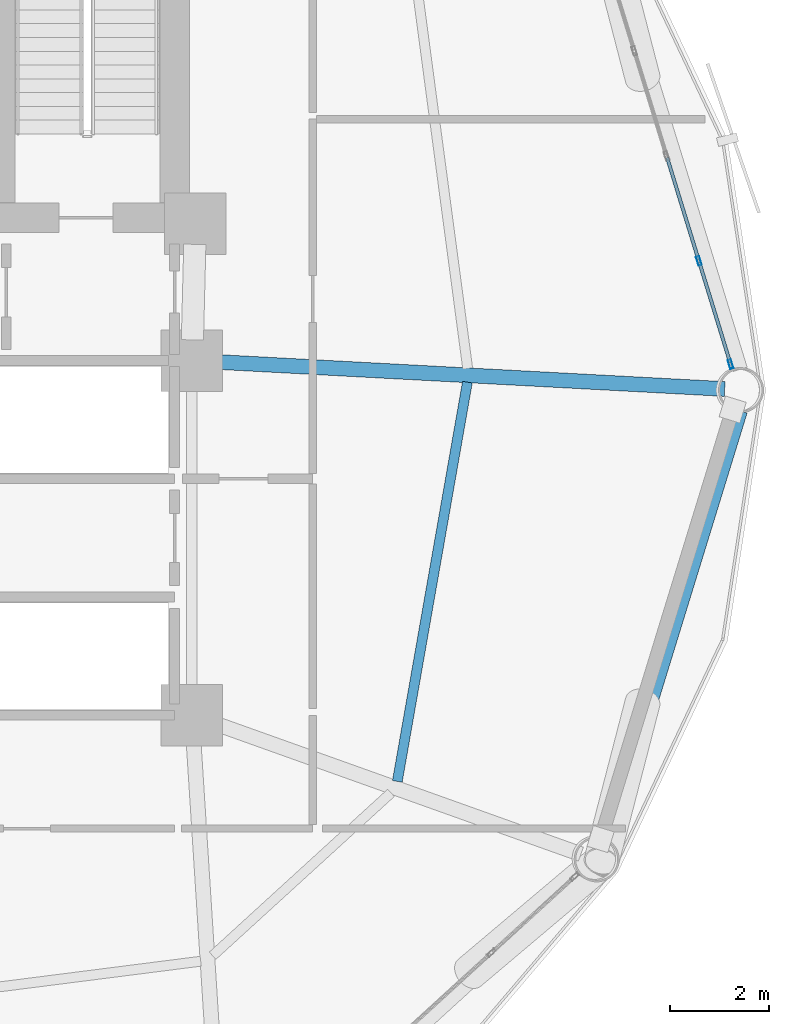
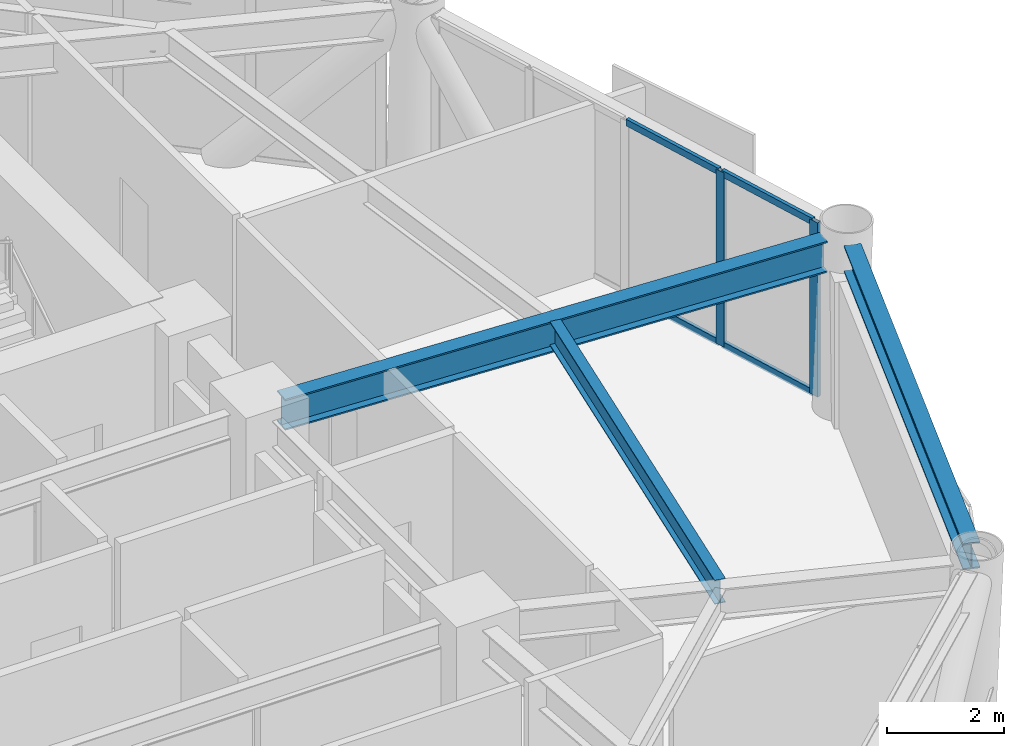
# One storey, part 15 of 26: 6 members, 3 beams, 1 element without a shape of its own.
"""IFC4 building model written with IfcOpenShell, lengths in metres."""

from ifc_helpers import new_model, si_unit, direction, frame, origin, origin_2d, place, context, subcontext, project, spatial, hollow_rectangle, i_section, extrude, material, layer, layer_set, material_profile, profile_set, type_object, element, aggregate, save


model = new_model("IFC4")

# Units and contexts
model_context = context("Model", 3, precision=1e-05, world=origin(), true_north=direction((0.0, 1.0)))
body_context = subcontext(model_context, "Body", "Model", "MODEL_VIEW")
ifc_project = project(units=[si_unit("LENGTHUNIT", "METRE"), si_unit("AREAUNIT", "SQUARE_METRE"), si_unit("VOLUMEUNIT", "CUBIC_METRE"), si_unit("PLANEANGLEUNIT", "RADIAN"), si_unit("MASSUNIT", "GRAM", prefix="KILO")], contexts=[model_context])

# Site, building, storey
site_placement = place(None, origin())
site = spatial("IfcSite", under=ifc_project, at=site_placement, CompositionType="ELEMENT")
building_placement = place(site_placement, origin())
building = spatial("IfcBuilding", under=site, at=building_placement, Name="Varnakorn Sky Granary", CompositionType="ELEMENT")
storey_placement = place(building_placement, frame((0.0, 0.0, 47.10009765625)))
storey = spatial("IfcBuildingStorey", under=building, at=storey_placement, Name="L11", CompositionType="ELEMENT", Elevation=47.10009765625)

# Beams
ifc_material_1 = material(Name="Steel S355JR", Category="steel")
ifc_material_profile_1 = material_profile(ifc_material_1, i_section(OverallWidth=0.300048828125, OverallDepth=0.64990234375, WebThickness=0.01611328125, FlangeThickness=0.031005859375, at=origin_2d()), Name="HE 650 B")
ifc_profile_set_1 = profile_set([ifc_material_profile_1], Name="Steel S355JR")
beam_type_1 = type_object("IfcBeamType", Name="BM-RAD-Z1", PredefinedType="BEAM", material=ifc_profile_set_1)
beam_1_placement = place(storey_placement, frame((8.769287109375, 0.57763671875, 3.31494140625), z_axis=(0.998582433645, -0.053227090999, 0.0), x_axis=(0.053227090999, 0.998582433645, 0.0)))
element("IfcBeam", 1, at=beam_1_placement, inside=storey, type_object=beam_type_1, Name="Radial Floor Girder RG01 L11", PredefinedType="BEAM", context=body_context, shape_type="SweptSolid", body=[
    extrude(i_section(OverallWidth=0.300048828125, OverallDepth=0.64990234375, WebThickness=0.01611328125, FlangeThickness=0.031005859375, at=origin_2d()), origin(), (0.0, 0.0, 1.0), 10.411865234375),
])
ifc_material_profile_2 = material_profile(ifc_material_1, i_section(OverallWidth=0.199951171875, OverallDepth=0.5, WebThickness=0.01025390625, FlangeThickness=0.01611328125, at=origin_2d()), Name="IPE 500")
ifc_profile_set_2 = profile_set([ifc_material_profile_2], Name="Steel S355JR")
beam_type_2 = type_object("IfcBeamType", Name="BM-SEC-Z1", PredefinedType="BEAM", material=ifc_profile_set_2)
beam_2_placement = place(storey_placement, frame((12.5205078125, -7.94287109375, 3.389892578125), z_axis=(0.172956002547, 0.984929551381, 0.0), x_axis=(-0.984929551381, 0.172956002547, 0.0)))
element("IfcBeam", 2, at=beam_2_placement, inside=storey, type_object=beam_type_2, Name="Secondary Floor Chord Beam MSB12 L11", PredefinedType="BEAM", context=body_context, shape_type="SweptSolid", body=[
    extrude(i_section(OverallWidth=0.199951171875, OverallDepth=0.5, WebThickness=0.01025390625, FlangeThickness=0.01611328125, at=origin_2d()), origin(), (0.0, 0.0, 1.0), 8.2294921875),
])
ifc_material_profile_3 = material_profile(ifc_material_1, i_section(OverallWidth=0.300048828125, OverallDepth=0.550048828125, WebThickness=0.014892578125, FlangeThickness=0.029052734375, at=origin_2d()), Name="HE 550 B")
ifc_profile_set_3 = profile_set([ifc_material_profile_3], Name="Steel S355JR")
beam_type_3 = type_object("IfcBeamType", Name="BM-SPD-Z1", PredefinedType="SPANDREL", material=ifc_profile_set_3)
beam_3_placement = place(storey_placement, frame((16.793212890625, -9.146484375, 3.364990234375), z_axis=(0.294132835828, 0.955764549922, 0.0), x_axis=(-0.955764549922, 0.294132835828, 0.0)))
element("IfcBeam", 3, at=beam_3_placement, inside=storey, type_object=beam_type_3, Name="Perimeter Spandrel Ring Beam RB12 L11", PredefinedType="SPANDREL", context=body_context, shape_type="SweptSolid", body=[
    extrude(i_section(OverallWidth=0.300048828125, OverallDepth=0.550048828125, WebThickness=0.014892578125, FlangeThickness=0.029052734375, at=origin_2d()), origin(), (0.0, 0.0, 1.0), 9.1279296875),
])

# Curtain wall, members
ifc_material_2 = material(Name="Anodised Bronze Aluminium Alloy 6063-T6", Category="aluminium")
ifc_layer = layer(ifc_material_2, 0.18994140625, Name="Anodised Bronze Aluminium Alloy 6063-T6")
ifc_layer_set = layer_set([ifc_layer], Name="Anodised Bronze Aluminium Alloy 6063-T6")
curtain_wall_type = type_object("IfcCurtainWallType", Name="CW-FRM-1", PredefinedType="USERDEFINED", material=ifc_layer_set)
curtain_wall_placement = place(storey_placement, origin())
curtain_wall = element("IfcCurtainWall", 4, at=curtain_wall_placement, inside=storey, type_object=curtain_wall_type, Name="Unitised Curtain Wall CW3 CW-L11-B01", ObjectType="CURTAIN WALL", PredefinedType="USERDEFINED")
ifc_material_profile_4 = material_profile(ifc_material_2, hollow_rectangle(XDim=0.070068359375, YDim=0.18505859375, WallThickness=0.00390625, at=origin_2d()), Name="ALU MULL 70x185")
ifc_profile_set_4 = profile_set([ifc_material_profile_4], Name="Anodised Bronze Aluminium Alloy 6063-T6")
member_type_1 = type_object("IfcMemberType", Name="CW-FRM-1-MULL", PredefinedType="MULLION", material=ifc_profile_set_4)
member_1_placement = place(storey_placement, frame((18.64306640625, 2.6240234375, 0.0), z_axis=(0.0, 0.0, 1.0), x_axis=(0.955828241263, 0.293925795403, 0.0)))
member_1 = element("IfcMember", 5, at=member_1_placement, type_object=member_type_1, Name="CW3 mullion 4", PredefinedType="MULLION", context=body_context, shape_type="SweptSolid", body=[
    extrude(hollow_rectangle(XDim=0.070068359375, YDim=0.18505859375, WallThickness=0.00390625, at=origin_2d()), origin(), (0.0, 0.0, 1.0), 3.639892578125),
])
member_2_placement = place(storey_placement, frame((19.28759765625, 0.527587890625, 0.0), z_axis=(0.0, 0.0, 1.0), x_axis=(0.955828241263, 0.293925795403, 0.0)))
member_2 = element("IfcMember", 6, at=member_2_placement, type_object=member_type_1, Name="CW3 mullion 5", PredefinedType="MULLION", context=body_context, shape_type="SweptSolid", body=[
    extrude(hollow_rectangle(XDim=0.070068359375, YDim=0.18505859375, WallThickness=0.00390625, at=origin_2d()), origin(), (0.0, 0.0, 1.0), 3.639892578125),
])
ifc_material_profile_5 = material_profile(ifc_material_2, hollow_rectangle(XDim=0.070068359375, YDim=0.139892578125, WallThickness=0.00341796875, at=origin_2d()), Name="ALU TRAN 70x140")
ifc_profile_set_5 = profile_set([ifc_material_profile_5], Name="Anodised Bronze Aluminium Alloy 6063-T6")
member_type_2 = type_object("IfcMemberType", Name="CW-FRM-1-TRAN", PredefinedType="USERDEFINED", material=ifc_profile_set_5)
member_3_placement = place(storey_placement, frame((17.99853515625, 4.72021484375, 0.034912109375), z_axis=(0.293910951518, -0.955832805766, 0.0), x_axis=(0.955832805766, 0.293910951518, 0.0)))
member_3 = element("IfcMember", 7, at=member_3_placement, type_object=member_type_2, Name="CW3 transom 3.1", ObjectType="TRANSOM", PredefinedType="USERDEFINED", context=body_context, shape_type="SweptSolid", body=[
    extrude(hollow_rectangle(XDim=0.070068359375, YDim=0.139892578125, WallThickness=0.00341796875, at=origin_2d()), origin(), (0.0, 0.0, 1.0), 2.157958984375),
])
member_4_placement = place(storey_placement, frame((17.99853515625, 4.72021484375, 3.60498046875), z_axis=(0.293910951518, -0.955832805766, 0.0), x_axis=(0.955832805766, 0.293910951518, 0.0)))
member_4 = element("IfcMember", 8, at=member_4_placement, type_object=member_type_2, Name="CW3 transom 3.2", ObjectType="TRANSOM", PredefinedType="USERDEFINED", context=body_context, shape_type="SweptSolid", body=[
    extrude(hollow_rectangle(XDim=0.070068359375, YDim=0.139892578125, WallThickness=0.00341796875, at=origin_2d()), origin(), (0.0, 0.0, 1.0), 2.157958984375),
])
member_5_placement = place(storey_placement, frame((18.6533203125, 2.590576171875, 0.034912109375), z_axis=(0.293891928557, -0.955838654967, 0.0), x_axis=(0.955838654967, 0.293891928557, 0.0)))
member_5 = element("IfcMember", 9, at=member_5_placement, type_object=member_type_2, Name="CW3 transom 4.1", ObjectType="TRANSOM", PredefinedType="USERDEFINED", context=body_context, shape_type="SweptSolid", body=[
    extrude(hollow_rectangle(XDim=0.070068359375, YDim=0.139892578125, WallThickness=0.00341796875, at=origin_2d()), origin(), (0.0, 0.0, 1.0), 2.123291015625),
])
member_6_placement = place(storey_placement, frame((18.6533203125, 2.590576171875, 3.60498046875), z_axis=(0.293891928557, -0.955838654967, 0.0), x_axis=(0.955838654967, 0.293891928557, 0.0)))
member_6 = element("IfcMember", 10, at=member_6_placement, type_object=member_type_2, Name="CW3 transom 4.2", ObjectType="TRANSOM", PredefinedType="USERDEFINED", context=body_context, shape_type="SweptSolid", body=[
    extrude(hollow_rectangle(XDim=0.070068359375, YDim=0.139892578125, WallThickness=0.00341796875, at=origin_2d()), origin(), (0.0, 0.0, 1.0), 2.123291015625),
])
aggregate(curtain_wall, [member_1, member_2, member_3, member_4, member_5, member_6])

save(model, "model.ifc")
